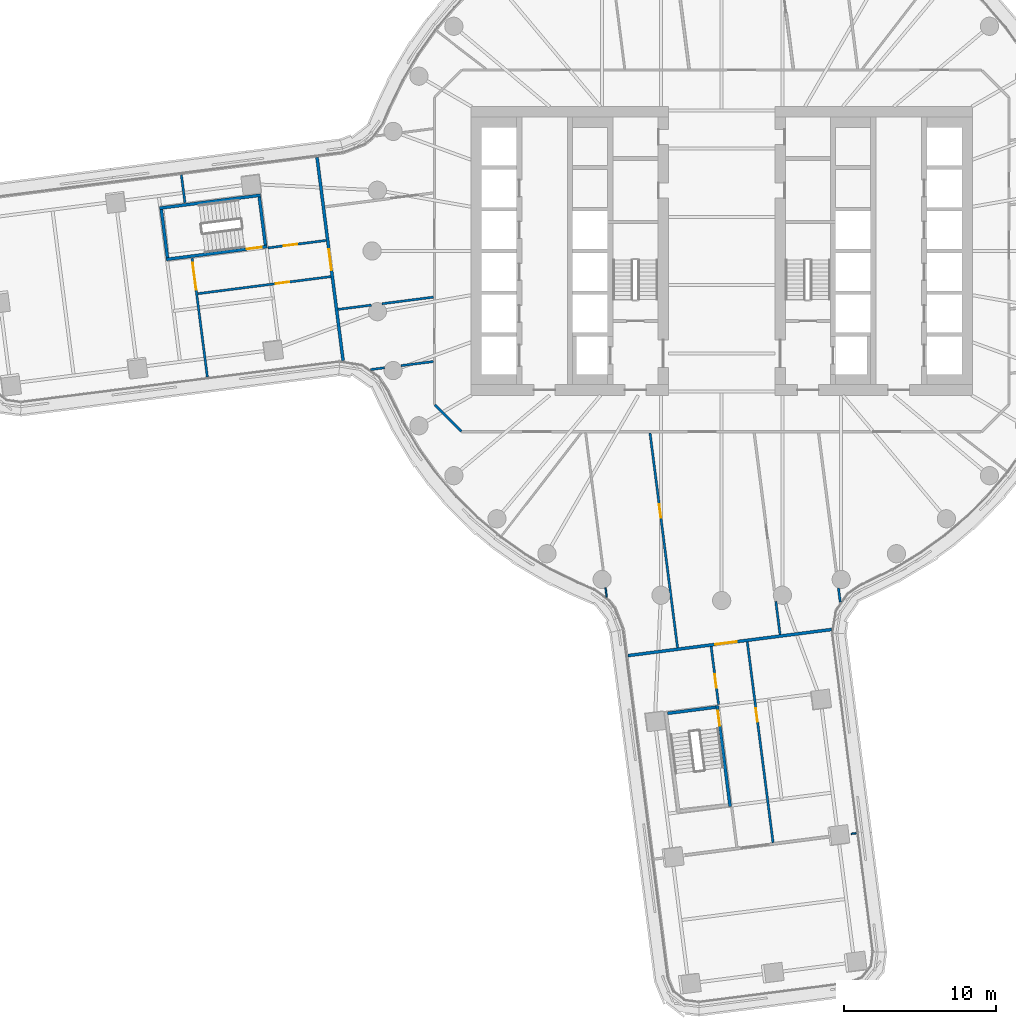
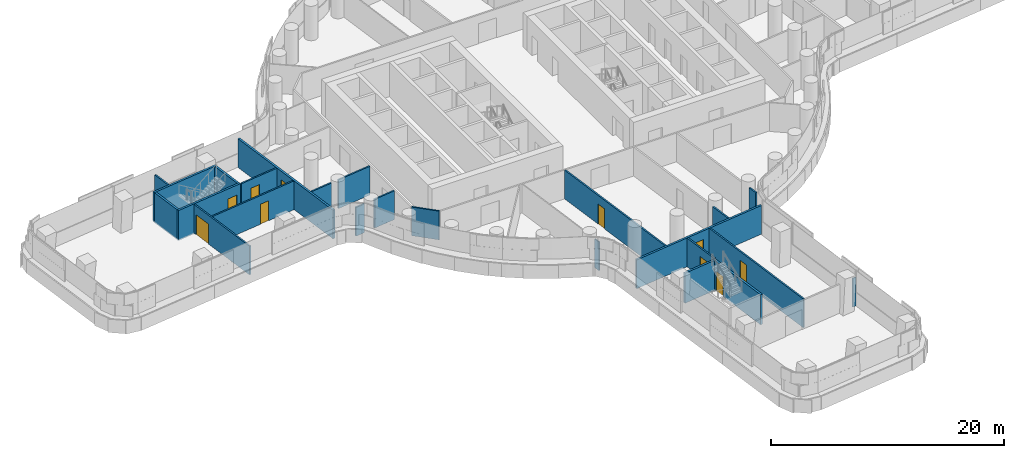
# One storey, part 19 of 31: 24 walls, 10 doors, 10 openings.
"""IFC4 building model written with IfcOpenShell, lengths in metres."""

import ifcopenshell
import ifcopenshell.guid

model = None  # the IFC model being written
_history = None  # IfcOwnerHistory: only IFC2X3 demands one
_inside = {}  # id of a spatial element -> (the spatial element, [elements in it])
_under = {}  # id of a project, library or spatial element -> (it, [spatial elements below it])
_declared = {}  # id of a project -> (the project, [libraries it declares])
_typed = {}  # id of a type object -> (the type object, [elements of that type])
_made_of = {}  # id of a material, layer set ... -> (it, [elements and type objects made of it])


def new_model(schema):
    """Start an empty IFC model of exactly this schema.

    Asked for "IFC4X3", IfcOpenShell would pick the latest addendum, in which some entities
    have other attributes; the version numbers below select the first issue.
    IFC2X3 requires an IfcOwnerHistory on every rooted entity: one is made here for all.
    """
    global model, _history
    if schema == "IFC4X3":
        model = ifcopenshell.file(schema_version=(4, 3, 0, 0))
    else:
        model = ifcopenshell.file(schema=schema)
    _inside.clear()
    _under.clear()
    _declared.clear()
    _typed.clear()
    _made_of.clear()
    _history = None
    if model.schema == "IFC2X3":
        org = make("IfcOrganization", Name="unknown")
        user = make(
            "IfcPersonAndOrganization",
            ThePerson=make("IfcPerson", FamilyName="unknown"),
            TheOrganization=org,
        )
        app = make(
            "IfcApplication",
            ApplicationDeveloper=org,
            Version="unknown",
            ApplicationFullName="unknown",
            ApplicationIdentifier="unknown",
        )
        _history = make(
            "IfcOwnerHistory",
            OwningUser=user,
            OwningApplication=app,
            ChangeAction="ADDED",
            CreationDate=0,
        )
    return model


def make(cls, **values):
    """One entity of the class cls with the attributes given. An attribute that is None is left unset."""
    return model.create_entity(
        cls, **{name: value for name, value in values.items() if value is not None}
    )


def rooted(cls, **values):
    """An entity with a GlobalId (a new one), such as an element, a storey or a relation."""
    return make(cls, GlobalId=ifcopenshell.guid.new(), OwnerHistory=_history, **values)


def si_unit(unit_type, name, prefix=None):
    """IfcSIUnit, for example si_unit("LENGTHUNIT", "METRE", prefix="MILLI")."""
    return make("IfcSIUnit", UnitType=unit_type, Prefix=prefix, Name=name)


def assignment(units):
    """IfcUnitAssignment: the units of a project."""
    return None if units is None else make("IfcUnitAssignment", Units=units)


def point(xyz):
    """IfcCartesianPoint."""
    return None if xyz is None else make("IfcCartesianPoint", Coordinates=xyz)


def direction(xyz):
    """IfcDirection."""
    return None if xyz is None else make("IfcDirection", DirectionRatios=xyz)


def frame(location, z_axis=None, x_axis=None):
    """IfcAxis2Placement3D, a coordinate frame: its origin and axes. An axis left out is left unset."""
    return make(
        "IfcAxis2Placement3D",
        Location=point(location),
        Axis=direction(z_axis),
        RefDirection=direction(x_axis),
    )


def frame_2d(location, x_axis=None):
    """IfcAxis2Placement2D, a coordinate frame in the plane: its origin and x axis."""
    return make(
        "IfcAxis2Placement2D", Location=point(location), RefDirection=direction(x_axis)
    )


def origin():
    """The frame at (0, 0, 0) with its axes left unset."""
    return frame((0.0, 0.0, 0.0))


def place(relative_to, where):
    """IfcLocalPlacement: puts the frame where relative to a parent placement (None: the world)."""
    return make(
        "IfcLocalPlacement", PlacementRelTo=relative_to, RelativePlacement=where
    )


def context(
    kind, dimensions, precision=None, world=None, true_north=None, identifier=None
):
    """IfcGeometricRepresentationContext, for example the 3D "Model" context."""
    return make(
        "IfcGeometricRepresentationContext",
        ContextIdentifier=identifier,
        ContextType=kind,
        CoordinateSpaceDimension=dimensions,
        Precision=precision,
        WorldCoordinateSystem=world,
        TrueNorth=true_north,
    )


def subcontext(parent, identifier, kind, view, scale=None):
    """IfcGeometricRepresentationSubContext, for example "Body" below "Model"."""
    return make(
        "IfcGeometricRepresentationSubContext",
        ContextIdentifier=identifier,
        ContextType=kind,
        ParentContext=parent,
        TargetScale=scale,
        TargetView=view,
    )


def project(units=None, contexts=None):
    """IfcProject with its units and contexts."""
    return rooted(
        "IfcProject",
        Name="project",
        RepresentationContexts=contexts,
        UnitsInContext=assignment(units),
    )


def spatial(cls, under=None, at=None, **own):
    """A site, building, storey or space (cls), placed at a placement, below another one or the project."""
    s = rooted(cls, ObjectPlacement=at, **own)
    if under is not None:
        _under.setdefault(under.id(), (under, []))[1].append(s)
    return s


def polyline(points):
    """IfcPolyline through the points."""
    return make("IfcPolyline", Points=[point(p) for p in points])


def profile(cls, at=None, kind="AREA", **sizes):
    """A parametric profile (cls). Its sizes go by their IFC names, for example OverallWidth=200.0."""
    return make(cls, ProfileType=kind, Position=at, **sizes)


def rectangle(**sizes):
    """IfcRectangleProfileDef."""
    return profile("IfcRectangleProfileDef", **sizes)


def outline(outer, holes=None, kind="AREA"):
    """IfcArbitraryClosedProfileDef: a profile drawn as a closed curve; with holes, ...WithVoids."""
    if holes is None:
        return make("IfcArbitraryClosedProfileDef", ProfileType=kind, OuterCurve=outer)
    return make(
        "IfcArbitraryProfileDefWithVoids",
        ProfileType=kind,
        OuterCurve=outer,
        InnerCurves=holes,
    )


def extrude(swept, where, along, depth):
    """IfcExtrudedAreaSolid: the profile swept, set in the frame where, extruded along a direction by depth."""
    return make(
        "IfcExtrudedAreaSolid",
        SweptArea=swept,
        Position=where,
        ExtrudedDirection=direction(along),
        Depth=depth,
    )


def shape(context_of_items, identifier, shape_type, items):
    """IfcShapeRepresentation: the items that make up one representation, for example the "Body"."""
    return make(
        "IfcShapeRepresentation",
        ContextOfItems=context_of_items,
        RepresentationIdentifier=identifier,
        RepresentationType=shape_type,
        Items=items,
    )


def material(Name=None, Category=None):
    """IfcMaterial."""
    return make("IfcMaterial", Name=Name, Category=Category)


def layer(
    of_material, thickness, ventilated=None, Name=None, Category=None, Priority=None
):
    """IfcMaterialLayer: one layer of a wall or slab, of a material (None: an air gap)."""
    return make(
        "IfcMaterialLayer",
        Material=of_material,
        LayerThickness=thickness,
        IsVentilated=ventilated,
        Name=Name,
        Category=Category,
        Priority=Priority,
    )


def layer_set(layers, Name=None):
    """IfcMaterialLayerSet."""
    return make("IfcMaterialLayerSet", MaterialLayers=layers, LayerSetName=Name)


def made_of(thing, what):
    """Note that an element or type object is made of a material, layer set ...; save() writes the relation."""
    if what is not None:
        _made_of.setdefault(what.id(), (what, []))[1].append(thing)
    return thing


def type_object(cls, material=None, **own):
    """A type object (cls), such as IfcWallType, which elements share."""
    return made_of(rooted(cls, **own), material)


def element(
    cls,
    number,
    at=None,
    inside=None,
    cuts=None,
    type_object=None,
    material=None,
    context=None,
    identifier="Body",
    shape_type=None,
    held_by="IfcProductDefinitionShape",
    body=None,
    shapes=None,
    **own,
):
    """One element of the class cls, such as IfcWall. Its Tag is "e" and its number.

    at: its placement. inside: the storey or other place that contains it. cuts: it is an
    opening in that element (IfcRelVoidsElement). A single representation is given by context,
    identifier, shape_type and body (its items); several are given by shapes. held_by: the class
    of the entity that holds the representations. save() writes the other relations.
    """
    e = rooted(cls, Tag="e%d" % number, ObjectPlacement=at, **own)
    if body is not None:
        shapes = [shape(context, identifier, shape_type, body)]
    if shapes is not None:
        e.Representation = make(held_by, Representations=shapes)
    if inside is not None:
        _inside.setdefault(inside.id(), (inside, []))[1].append(e)
    if cuts is not None:
        rooted(
            "IfcRelVoidsElement", RelatingBuildingElement=cuts, RelatedOpeningElement=e
        )
    if type_object is not None:
        _typed.setdefault(type_object.id(), (type_object, []))[1].append(e)
    return made_of(e, material)


def fill(opening, filler):
    """IfcRelFillsElement: the door or window that sits in an opening."""
    return rooted(
        "IfcRelFillsElement",
        RelatingOpeningElement=opening,
        RelatedBuildingElement=filler,
    )


def aggregate(whole, parts):
    """IfcRelAggregates: a whole, such as a stair, and the parts it consists of."""
    return rooted("IfcRelAggregates", RelatingObject=whole, RelatedObjects=parts)


def save(model, path):
    """Write the relations noted so far, then the file.

    IfcRelAggregates (storeys below a building ...), IfcRelContainedInSpatialStructure (elements
    in a storey), IfcRelDefinesByType, IfcRelAssociatesMaterial and IfcRelDeclares: one each for
    every whole, place, type object, material and project.
    """
    for whole, parts in _under.values():
        aggregate(whole, parts)
    for where, things in _inside.values():
        rooted(
            "IfcRelContainedInSpatialStructure",
            RelatedElements=things,
            RelatingStructure=where,
        )
    for kind, things in _typed.values():
        rooted("IfcRelDefinesByType", RelatedObjects=things, RelatingType=kind)
    for what, things in _made_of.values():
        rooted("IfcRelAssociatesMaterial", RelatedObjects=things, RelatingMaterial=what)
    for by, libraries in _declared.values():
        rooted("IfcRelDeclares", RelatingContext=by, RelatedDefinitions=libraries)
    model.write(path)


model = new_model("IFC4")

# Units and contexts
model_context = context("Model", 3, precision=1e-05, world=origin(), true_north=direction((0.0, 1.0)))
body_context = subcontext(model_context, "Body", "Model", "MODEL_VIEW")
ifc_project = project(units=[si_unit("LENGTHUNIT", "METRE"), si_unit("AREAUNIT", "SQUARE_METRE"), si_unit("VOLUMEUNIT", "CUBIC_METRE"), si_unit("PLANEANGLEUNIT", "RADIAN"), si_unit("MASSUNIT", "GRAM", prefix="KILO")], contexts=[model_context])

# Site, building, storey
site_placement = place(None, origin())
site = spatial("IfcSite", under=ifc_project, at=site_placement, CompositionType="ELEMENT")
building_placement = place(site_placement, origin())
building = spatial("IfcBuilding", under=site, at=building_placement, Name="Tamarind Cross Interchange Tower", CompositionType="ELEMENT")
storey_placement = place(building_placement, frame((0.0, 0.0, 60.25)))
storey = spatial("IfcBuildingStorey", under=building, at=storey_placement, Name="L13", CompositionType="ELEMENT", Elevation=60.25)

# Walls
ifc_material_1 = material(Name="Gypsum board partition on steel studs", Category="steel")
ifc_layer_1 = layer(ifc_material_1, 0.10009765625)
ifc_layer_set_1 = layer_set([ifc_layer_1], Name="Gypsum board partition on steel studs")
wall_type_1 = type_object("IfcWallType", Name="Partition 100 mm EI 90", PredefinedType="PARTITIONING", material=ifc_layer_set_1)
wall_1_placement = place(storey_placement, frame((-7.641845703125, -22.16259765625, 0.0), z_axis=(0.0, 0.0, 1.0), x_axis=(0.127293958292, -0.991865035266, 0.0)))
element("IfcWall", 1, at=wall_1_placement, inside=storey, type_object=wall_type_1, Name="Partition L13-007", PredefinedType="PARTITIONING", context=body_context, shape_type="SweptSolid", body=[
    extrude(rectangle(XDim=0.61767578125, YDim=0.10009765625, at=frame_2d((0.308837890625, 0.0))), origin(), (0.0, 0.0, 1.0), 3.010009765625),
])
wall_2_placement = place(storey_placement, frame((8.526123046875, -38.347412109375, 0.0), z_axis=(0.0, 0.0, 1.0), x_axis=(0.991888791838, 0.127108711843, 0.0)))
element("IfcWall", 2, at=wall_2_placement, inside=storey, type_object=wall_type_1, Name="Partition L13-056", PredefinedType="PARTITIONING", context=body_context, shape_type="SweptSolid", body=[
    extrude(rectangle(XDim=0.332275390625, YDim=0.10009765625, at=frame_2d((0.166015625, 0.0))), origin(), (0.0, 0.0, 1.0), 3.010009765625),
])
ifc_layer_2 = layer(ifc_material_1, 0.14990234375)
ifc_layer_set_2 = layer_set([ifc_layer_2], Name="Gypsum board partition on steel studs")
wall_type_2 = type_object("IfcWallType", Name="Partition 150 mm EI 120", PredefinedType="PARTITIONING", material=ifc_layer_set_2)
wall_3_placement = place(storey_placement, frame((-35.548828125, 5.014892578125, 0.0), z_axis=(0.0, 0.0, 1.0), x_axis=(0.127542047763, -0.991833164425, 0.0)))
element("IfcWall", 3, at=wall_3_placement, inside=storey, type_object=wall_type_2, Name="Partition L13-001", PredefinedType="PARTITIONING", context=body_context, shape_type="SweptSolid", body=[
    extrude(rectangle(XDim=1.858642578125, YDim=0.14990234375, at=frame_2d((0.92919921875, 0.0))), origin(), (0.0, 0.0, 1.0), 3.010009765625),
])

# Wall, opening, door
wall_4_placement = place(storey_placement, frame((-34.842041015625, -0.47900390625, 0.0), z_axis=(0.0, 0.0, 1.0), x_axis=(0.127606286596, -0.991824901694, 0.0)))
wall_4 = element("IfcWall", 4, at=wall_4_placement, inside=storey, type_object=wall_type_2, Name="Partition L13-002", PredefinedType="PARTITIONING", context=body_context, shape_type="SweptSolid", body=[
    extrude(rectangle(XDim=7.873046875, YDim=0.14990234375, at=frame_2d((3.9365234375, 0.0))), origin(), (0.0, 0.0, 1.0), 3.010009765625),
])
opening_1_placement = place(wall_4_placement, frame((0.300048828125, 0.0, 0.0)))
opening_1 = element("IfcOpeningElement", 5, at=opening_1_placement, cuts=wall_4, Name="Opening D01", PredefinedType="OPENING", context=body_context, shape_type="SweptSolid", body=[
    extrude(rectangle(XDim=1.800048828125, YDim=2.10009765625, at=frame_2d((0.89990234375, 1.050048828125))), frame((0.0, 0.0849609375, 0.0), z_axis=(0.0, -1.0, 0.0), x_axis=(1.0, 0.0, 0.0)), (0.0, 0.0, 1.0), 0.169921875),
])
ifc_material_2 = material(Name="Fire-resisting door set")
door_type_1 = type_object("IfcDoorType", Name="Interior door 1800 x 2100 FD60S", OperationType="DOUBLE_DOOR_SINGLE_SWING", PredefinedType="DOOR", material=ifc_material_2)
door_1_placement = place(opening_1_placement, frame((1.800048828125, 0.0, 0.0), z_axis=(0.0, 0.0, 1.0), x_axis=(-1.0, 0.0, 0.0)))
door_1 = element("IfcDoor", 6, at=door_1_placement, inside=storey, type_object=door_type_1, Name="Door D01", OperationType="DOUBLE_DOOR_SINGLE_SWING", OverallHeight=2.10009765625, OverallWidth=1.800048828125, PredefinedType="DOOR", context=body_context, shape_type="SweptSolid", body=[
    extrude(rectangle(XDim=1.800048828125, YDim=2.10009765625, at=frame_2d((0.89990234375, 1.050048828125))), frame((0.0, 0.02490234375, 0.0), z_axis=(0.0, -1.0, 0.0), x_axis=(1.0, 0.0, 0.0)), (0.0, 0.0, 1.0), 0.050048828125),
])
fill(opening_1, door_1)

wall_5_placement = place(storey_placement, frame((-4.715087890625, -11.969482421875, 0.0), z_axis=(0.0, 0.0, 1.0), x_axis=(0.127268912686, -0.991868249247, 0.0)))
wall_5 = element("IfcWall", 7, at=wall_5_placement, inside=storey, type_object=wall_type_2, Name="Partition L13-009", PredefinedType="PARTITIONING", context=body_context, shape_type="SweptSolid", body=[
    extrude(rectangle(XDim=14.249267578125, YDim=0.14990234375, at=frame_2d((7.12451171875, 0.0))), origin(), (0.0, 0.0, 1.0), 3.010009765625),
])
opening_2_placement = place(wall_5_placement, frame((4.72998046875, 0.0, 0.0)))
opening_2 = element("IfcOpeningElement", 8, at=opening_2_placement, cuts=wall_5, Name="Opening D03", PredefinedType="OPENING", context=body_context, shape_type="SweptSolid", body=[
    extrude(rectangle(XDim=0.89990234375, YDim=2.10009765625, at=frame_2d((0.449951171875, 1.050048828125))), frame((0.0, 0.0849609375, 0.0), z_axis=(0.0, -1.0, 0.0), x_axis=(1.0, 0.0, 0.0)), (0.0, 0.0, 1.0), 0.169921875),
])
door_type_2 = type_object("IfcDoorType", Name="Interior door 900 x 2100 FD60S", OperationType="SINGLE_SWING_LEFT", PredefinedType="DOOR", material=ifc_material_2)
door_2_placement = place(opening_2_placement, frame((0.89990234375, 0.0, 0.0), z_axis=(0.0, 0.0, 1.0), x_axis=(-1.0, 0.0, 0.0)))
door_2 = element("IfcDoor", 9, at=door_2_placement, inside=storey, type_object=door_type_2, Name="Door D03", OperationType="SINGLE_SWING_LEFT", OverallHeight=2.10009765625, OverallWidth=0.89990234375, PredefinedType="DOOR", context=body_context, shape_type="SweptSolid", body=[
    extrude(rectangle(XDim=0.89990234375, YDim=2.10009765625, at=frame_2d((0.449951171875, 1.050048828125))), frame((0.0, 0.02490234375, 0.0), z_axis=(0.0, -1.0, 0.0), x_axis=(1.0, 0.0, 0.0)), (0.0, 0.0, 1.0), 0.050048828125),
])
fill(opening_2, door_2)

wall_6_placement = place(storey_placement, frame((-0.693359375, -26.021240234375, 0.0), z_axis=(0.0, 0.0, 1.0), x_axis=(0.127327068492, -0.991860785408, 0.0)))
wall_6 = element("IfcWall", 10, at=wall_6_placement, inside=storey, type_object=wall_type_2, Name="Partition L13-015", PredefinedType="PARTITIONING", context=body_context, shape_type="SweptSolid", body=[
    extrude(rectangle(XDim=3.85986328125, YDim=0.14990234375, at=frame_2d((1.929931640625, 0.0))), origin(), (0.0, 0.0, 1.0), 3.010009765625),
])
opening_3_placement = place(wall_6_placement, frame((1.85009765625, 0.0, 0.0)))
opening_3 = element("IfcOpeningElement", 11, at=opening_3_placement, cuts=wall_6, Name="Opening D12", PredefinedType="OPENING", context=body_context, shape_type="SweptSolid", body=[
    extrude(rectangle(XDim=0.89990234375, YDim=2.10009765625, at=frame_2d((0.449951171875, 1.050048828125))), frame((0.0, 0.0849609375, 0.0), z_axis=(0.0, -1.0, 0.0), x_axis=(1.0, 0.0, 0.0)), (0.0, 0.0, 1.0), 0.169921875),
])
door_3_placement = place(opening_3_placement, frame((0.89990234375, 0.0, 0.0), z_axis=(0.0, 0.0, 1.0), x_axis=(-1.0, 0.0, 0.0)))
door_3 = element("IfcDoor", 12, at=door_3_placement, inside=storey, type_object=door_type_2, Name="Door D12", OperationType="SINGLE_SWING_RIGHT", OverallHeight=2.10009765625, OverallWidth=0.89990234375, PredefinedType="DOOR", context=body_context, shape_type="SweptSolid", body=[
    extrude(rectangle(XDim=0.89990234375, YDim=2.10009765625, at=frame_2d((0.449951171875, 1.050048828125))), frame((0.0, 0.02490234375, 0.0), z_axis=(0.0, -1.0, 0.0), x_axis=(1.0, 0.0, 0.0)), (0.0, 0.0, 1.0), 0.050048828125),
])
fill(opening_3, door_3)

wall_7_placement = place(storey_placement, frame((1.686767578125, -25.715087890625, 0.0), z_axis=(0.0, 0.0, 1.0), x_axis=(0.127319612974, -0.991861742458, 0.0)))
wall_7 = element("IfcWall", 13, at=wall_7_placement, inside=storey, type_object=wall_type_2, Name="Partition L13-017", PredefinedType="PARTITIONING", context=body_context, shape_type="SweptSolid", body=[
    extrude(rectangle(XDim=13.324951171875, YDim=0.14990234375, at=frame_2d((6.66259765625, 0.0))), origin(), (0.0, 0.0, 1.0), 3.010009765625),
])
opening_4_placement = place(wall_7_placement, frame((4.39990234375, 0.0, 0.0)))
opening_4 = element("IfcOpeningElement", 14, at=opening_4_placement, cuts=wall_7, Name="Opening D13", PredefinedType="OPENING", context=body_context, shape_type="SweptSolid", body=[
    extrude(rectangle(XDim=0.89990234375, YDim=2.10009765625, at=frame_2d((0.449951171875, 1.050048828125))), frame((0.0, 0.0849609375, 0.0), z_axis=(0.0, -1.0, 0.0), x_axis=(1.0, 0.0, 0.0)), (0.0, 0.0, 1.0), 0.169921875),
])
door_4_placement = place(opening_4_placement, origin())
door_4 = element("IfcDoor", 15, at=door_4_placement, inside=storey, type_object=door_type_2, Name="Door D13", OperationType="SINGLE_SWING_RIGHT", OverallHeight=2.10009765625, OverallWidth=0.89990234375, PredefinedType="DOOR", context=body_context, shape_type="SweptSolid", body=[
    extrude(rectangle(XDim=0.89990234375, YDim=2.10009765625, at=frame_2d((0.449951171875, 1.050048828125))), frame((0.0, 0.02490234375, 0.0), z_axis=(0.0, -1.0, 0.0), x_axis=(1.0, 0.0, 0.0)), (0.0, 0.0, 1.0), 0.050048828125),
])
fill(opening_4, door_4)

# Walls
wall_8_placement = place(storey_placement, frame((3.56298828125, -23.052978515625, 0.0), z_axis=(0.0, 0.0, 1.0), x_axis=(0.127295784398, -0.991864800905, 0.0)))
element("IfcWall", 16, at=wall_8_placement, inside=storey, type_object=wall_type_2, Name="Partition L13-019", PredefinedType="PARTITIONING", context=body_context, shape_type="SweptSolid", body=[
    extrude(rectangle(XDim=2.20166015625, YDim=0.14990234375, at=frame_2d((1.100830078125, 0.0))), origin(), (0.0, 0.0, 1.0), 3.010009765625),
])
wall_9_placement = place(storey_placement, frame((7.684326171875, -22.174072265625, 0.0), z_axis=(0.0, 0.0, 1.0), x_axis=(0.127295384389, -0.991864852242, 0.0)))
element("IfcWall", 17, at=wall_9_placement, inside=storey, type_object=wall_type_2, Name="Partition L13-023", PredefinedType="PARTITIONING", context=body_context, shape_type="SweptSolid", body=[
    extrude(rectangle(XDim=0.939697265625, YDim=0.14990234375, at=frame_2d((0.4697265625, 0.0))), origin(), (0.0, 0.0, 1.0), 3.010009765625),
])
wall_10_placement = place(storey_placement, frame((-18.87158203125, -10.12841796875, 0.0), z_axis=(0.0, 0.0, 1.0), x_axis=(0.707106781187, -0.707106781187, 0.0)))
element("IfcWall", 18, at=wall_10_placement, inside=storey, type_object=wall_type_2, Name="Partition L13-029", PredefinedType="PARTITIONING", context=body_context, shape_type="SweptSolid", body=[
    extrude(rectangle(XDim=2.465087890625, YDim=0.14990234375, at=frame_2d((1.232421875, 0.0))), origin(), (0.0, 0.0, 1.0), 3.010009765625),
])

# Wall, opening, door
wall_11_placement = place(storey_placement, frame((-34.463623046875, -2.809814453125, 0.0), z_axis=(0.0, 0.0, 1.0), x_axis=(0.991861062274, 0.127324911717, 0.0)))
wall_11 = element("IfcWall", 19, at=wall_11_placement, inside=storey, type_object=wall_type_2, Name="Partition L13-035", PredefinedType="PARTITIONING", context=body_context, shape_type="SweptSolid", body=[
    extrude(rectangle(XDim=8.8203125, YDim=0.14990234375, at=frame_2d((4.41015625, 0.0))), origin(), (0.0, 0.0, 1.0), 3.010009765625),
])
opening_5_placement = place(wall_11_placement, frame((5.169921875, 0.0, 0.0)))
opening_5 = element("IfcOpeningElement", 20, at=opening_5_placement, cuts=wall_11, Name="Opening D24", PredefinedType="OPENING", context=body_context, shape_type="SweptSolid", body=[
    extrude(rectangle(XDim=0.89990234375, YDim=2.10009765625, at=frame_2d((0.449951171875, 1.050048828125))), frame((0.0, 0.0849609375, 0.0), z_axis=(0.0, -1.0, 0.0), x_axis=(1.0, 0.0, 0.0)), (0.0, 0.0, 1.0), 0.169921875),
])
door_5_placement = place(opening_5_placement, frame((0.89990234375, 0.0, 0.0), z_axis=(0.0, 0.0, 1.0), x_axis=(-1.0, 0.0, 0.0)))
door_5 = element("IfcDoor", 21, at=door_5_placement, inside=storey, type_object=door_type_2, Name="Door D24", OperationType="SINGLE_SWING_RIGHT", OverallHeight=2.10009765625, OverallWidth=0.89990234375, PredefinedType="DOOR", context=body_context, shape_type="SweptSolid", body=[
    extrude(rectangle(XDim=0.89990234375, YDim=2.10009765625, at=frame_2d((0.449951171875, 1.050048828125))), frame((0.0, 0.02490234375, 0.0), z_axis=(0.0, -1.0, 0.0), x_axis=(1.0, 0.0, 0.0)), (0.0, 0.0, 1.0), 0.050048828125),
])
fill(opening_5, door_5)

wall_12_placement = place(storey_placement, frame((-29.849609375, 0.2021484375, 0.0), z_axis=(0.0, 0.0, 1.0), x_axis=(0.991868771711, 0.127264840806, 0.0)))
wall_12 = element("IfcWall", 22, at=wall_12_placement, inside=storey, type_object=wall_type_2, Name="Partition L13-036", PredefinedType="PARTITIONING", context=body_context, shape_type="SweptSolid", body=[
    extrude(rectangle(XDim=3.85986328125, YDim=0.14990234375, at=frame_2d((1.929931640625, 0.0))), origin(), (0.0, 0.0, 1.0), 3.010009765625),
])
opening_6_placement = place(wall_12_placement, frame((1.050048828125, 0.0, 0.0)))
opening_6 = element("IfcOpeningElement", 23, at=opening_6_placement, cuts=wall_12, Name="Opening D25", PredefinedType="OPENING", context=body_context, shape_type="SweptSolid", body=[
    extrude(rectangle(XDim=0.89990234375, YDim=2.10009765625, at=frame_2d((0.449951171875, 1.050048828125))), frame((0.0, 0.0849609375, 0.0), z_axis=(0.0, -1.0, 0.0), x_axis=(1.0, 0.0, 0.0)), (0.0, 0.0, 1.0), 0.169921875),
])
door_6_placement = place(opening_6_placement, origin())
door_6 = element("IfcDoor", 24, at=door_6_placement, inside=storey, type_object=door_type_2, Name="Door D25", OperationType="SINGLE_SWING_RIGHT", OverallHeight=2.10009765625, OverallWidth=0.89990234375, PredefinedType="DOOR", context=body_context, shape_type="SweptSolid", body=[
    extrude(rectangle(XDim=0.89990234375, YDim=2.10009765625, at=frame_2d((0.449951171875, 1.050048828125))), frame((0.0, 0.02490234375, 0.0), z_axis=(0.0, -1.0, 0.0), x_axis=(1.0, 0.0, 0.0)), (0.0, 0.0, 1.0), 0.050048828125),
])
fill(opening_6, door_6)

# Walls
wall_13_placement = place(storey_placement, frame((-25.23681640625, -3.84326171875, 0.0), z_axis=(0.0, 0.0, 1.0), x_axis=(0.991864800905, 0.127295784398, 0.0)))
element("IfcWall", 25, at=wall_13_placement, inside=storey, type_object=wall_type_2, Name="Partition L13-038", PredefinedType="PARTITIONING", context=body_context, shape_type="SweptSolid", body=[
    extrude(rectangle(XDim=2.20166015625, YDim=0.14990234375, at=frame_2d((1.100830078125, 0.0))), origin(), (0.0, 0.0, 1.0), 3.010009765625),
])
wall_14_placement = place(storey_placement, frame((-22.33984375, -3.471435546875, 0.0), z_axis=(0.0, 0.0, 1.0), x_axis=(0.99186236677, 0.127314749288, 0.0)))
element("IfcWall", 26, at=wall_14_placement, inside=storey, type_object=wall_type_2, Name="Partition L13-039", PredefinedType="PARTITIONING", context=body_context, shape_type="SweptSolid", body=[
    extrude(rectangle(XDim=3.39794921875, YDim=0.14990234375, at=frame_2d((1.698974609375, 0.0))), origin(), (0.0, 0.0, 1.0), 3.010009765625),
])
wall_15_placement = place(storey_placement, frame((-23.106201171875, -7.803955078125, 0.0), z_axis=(0.0, 0.0, 1.0), x_axis=(0.991864852242, 0.127295384389, 0.0)))
element("IfcWall", 27, at=wall_15_placement, inside=storey, type_object=wall_type_2, Name="Partition L13-040", PredefinedType="PARTITIONING", context=body_context, shape_type="SweptSolid", body=[
    extrude(rectangle(XDim=0.939697265625, YDim=0.14990234375, at=frame_2d((0.4697265625, 0.0))), origin(), (0.0, 0.0, 1.0), 3.010009765625),
])
wall_16_placement = place(storey_placement, frame((-21.099853515625, -7.54638671875, 0.0), z_axis=(0.0, 0.0, 1.0), x_axis=(0.991863273409, 0.127307685792, 0.0)))
element("IfcWall", 28, at=wall_16_placement, inside=storey, type_object=wall_type_2, Name="Partition L13-041", PredefinedType="PARTITIONING", context=body_context, shape_type="SweptSolid", body=[
    extrude(rectangle(XDim=2.14794921875, YDim=0.14990234375, at=frame_2d((1.073974609375, 0.0))), origin(), (0.0, 0.0, 1.0), 3.010009765625),
])

# Wall, opening, door
ifc_layer_3 = layer(ifc_material_1, 0.199951171875)
ifc_layer_set_3 = layer_set([ifc_layer_3], Name="Gypsum board partition on steel studs")
wall_type_3 = type_object("IfcWallType", Name="Partition 200 mm EI 180", PredefinedType="PARTITIONING", material=ifc_layer_set_3)
wall_17_placement = place(storey_placement, frame((-26.621826171875, 6.160888671875, 0.0), z_axis=(0.0, 0.0, 1.0), x_axis=(0.127256518618, -0.99186983948, 0.0)))
wall_17 = element("IfcWall", 29, at=wall_17_placement, inside=storey, type_object=wall_type_3, Name="Partition L13-003", PredefinedType="PARTITIONING", context=body_context, shape_type="SweptSolid", body=[
    extrude(rectangle(XDim=13.49267578125, YDim=0.199951171875, at=frame_2d((6.746337890625, 0.0))), origin(), (0.0, 0.0, 1.0), 3.010009765625),
])
opening_7_placement = place(wall_17_placement, frame((6.099609375, 0.0, 0.0)))
opening_7 = element("IfcOpeningElement", 30, at=opening_7_placement, cuts=wall_17, Name="Opening D02", PredefinedType="OPENING", context=body_context, shape_type="SweptSolid", body=[
    extrude(rectangle(XDim=1.39990234375, YDim=2.10009765625, at=frame_2d((0.699951171875, 1.050048828125))), frame((0.0, 0.10986328125, 0.0), z_axis=(0.0, -1.0, 0.0), x_axis=(1.0, 0.0, 0.0)), (0.0, 0.0, 1.0), 0.219970703125),
])
door_type_3 = type_object("IfcDoorType", Name="Interior door 1400 x 2100 FD120S", OperationType="DOUBLE_DOOR_SINGLE_SWING", PredefinedType="DOOR", material=ifc_material_2)
door_7_placement = place(opening_7_placement, origin())
door_7 = element("IfcDoor", 31, at=door_7_placement, inside=storey, type_object=door_type_3, Name="Door D02", OperationType="DOUBLE_DOOR_SINGLE_SWING", OverallHeight=2.10009765625, OverallWidth=1.39990234375, PredefinedType="DOOR", context=body_context, shape_type="SweptSolid", body=[
    extrude(rectangle(XDim=1.39990234375, YDim=2.10009765625, at=frame_2d((0.699951171875, 1.050048828125))), frame((0.0, 0.02490234375, 0.0), z_axis=(0.0, -1.0, 0.0), x_axis=(1.0, 0.0, 0.0)), (0.0, 0.0, 1.0), 0.050048828125),
])
fill(opening_7, door_7)

wall_18_placement = place(storey_placement, frame((-6.160888671875, -26.621826171875, 0.0), z_axis=(0.0, 0.0, 1.0), x_axis=(0.99186983948, 0.127256518618, 0.0)))
wall_18 = element("IfcWall", 32, at=wall_18_placement, inside=storey, type_object=wall_type_3, Name="Partition L13-053", PredefinedType="PARTITIONING", context=body_context, shape_type="SweptSolid", body=[
    extrude(rectangle(XDim=13.49267578125, YDim=0.199951171875, at=frame_2d((6.746337890625, 0.0))), origin(), (0.0, 0.0, 1.0), 3.010009765625),
])
opening_8_placement = place(wall_18_placement, frame((5.799560546875, 0.0, 0.0)))
opening_8 = element("IfcOpeningElement", 33, at=opening_8_placement, cuts=wall_18, Name="Opening D30", PredefinedType="OPENING", context=body_context, shape_type="SweptSolid", body=[
    extrude(rectangle(XDim=1.39990234375, YDim=2.10009765625, at=frame_2d((0.699951171875, 1.050048828125))), frame((0.0, 0.10986328125, 0.0), z_axis=(0.0, -1.0, 0.0), x_axis=(1.0, 0.0, 0.0)), (0.0, 0.0, 1.0), 0.219970703125),
])
door_8_placement = place(opening_8_placement, origin())
door_8 = element("IfcDoor", 34, at=door_8_placement, inside=storey, type_object=door_type_3, Name="Door D30", OperationType="DOUBLE_DOOR_SINGLE_SWING", OverallHeight=2.10009765625, OverallWidth=1.39990234375, PredefinedType="DOOR", context=body_context, shape_type="SweptSolid", body=[
    extrude(rectangle(XDim=1.39990234375, YDim=2.10009765625, at=frame_2d((0.699951171875, 1.050048828125))), frame((0.0, 0.02490234375, 0.0), z_axis=(0.0, -1.0, 0.0), x_axis=(1.0, 0.0, 0.0)), (0.0, 0.0, 1.0), 0.050048828125),
])
fill(opening_8, door_8)

ifc_material_3 = material(Name="Concrete C40", Category="concrete")
ifc_layer_4 = layer(ifc_material_3, 0.199951171875)
ifc_layer_set_4 = layer_set([ifc_layer_4], Name="Concrete C40")
wall_type_4 = type_object("IfcWallType", Name="Stair shaft wall 200 mm Concrete C40", PredefinedType="SHEAR", material=ifc_layer_set_4)
wall_19_placement = place(storey_placement, frame((-29.902099609375, 0.29638671875, -0.139892578125), z_axis=(0.0, 0.0, 1.0), x_axis=(-0.991866691, -0.12728105627, 0.0)))
wall_19 = element("IfcWall", 35, at=wall_19_placement, inside=storey, type_object=wall_type_4, Name="Core wall CWL-L13-ST5-H", PredefinedType="SHEAR", context=body_context, shape_type="SweptSolid", body=[
    extrude(rectangle(XDim=6.699951171875, YDim=0.199951171875, at=frame_2d((3.35009765625, 0.0))), origin(), (0.0, 0.0, 1.0), 3.14990234375),
])
opening_9_placement = place(wall_19_placement, frame((0.35009765625, 0.0, 0.0)))
opening_9 = element("IfcOpeningElement", 36, at=opening_9_placement, cuts=wall_19, Name="Opening ST5L13", PredefinedType="OPENING", context=body_context, shape_type="SweptSolid", body=[
    extrude(rectangle(XDim=1.0, YDim=2.10009765625, at=frame_2d((0.5, 1.050048828125))), frame((0.0, 0.10986328125, 0.0), z_axis=(0.0, -1.0, 0.0), x_axis=(1.0, 0.0, 0.0)), (0.0, 0.0, 1.0), 0.219970703125),
])
ifc_material_4 = material(Name="Steel, fire-resisting", Category="steel")
door_type_4 = type_object("IfcDoorType", Name="Core fire door 1000 x 2100 FD90", OperationType="SINGLE_SWING_LEFT", PredefinedType="DOOR", material=ifc_material_4)
door_9_placement = place(opening_9_placement, origin())
door_9 = element("IfcDoor", 37, at=door_9_placement, inside=storey, type_object=door_type_4, Name="L13 stair door ST5", OperationType="SINGLE_SWING_LEFT", OverallHeight=2.10009765625, OverallWidth=1.0, PredefinedType="DOOR", context=body_context, shape_type="SweptSolid", body=[
    extrude(rectangle(XDim=1.0, YDim=2.10009765625, at=frame_2d((0.5, 1.050048828125))), frame((0.0, 0.02490234375, 0.0), z_axis=(0.0, -1.0, 0.0), x_axis=(1.0, 0.0, 0.0)), (0.0, 0.0, 1.0), 0.050048828125),
])
fill(opening_9, door_9)

# Walls
wall_20_placement = place(storey_placement, frame((-30.3349609375, 3.668701171875, -0.139892578125), z_axis=(0.0, 0.0, 1.0), x_axis=(-0.991866100641, -0.127285656693, 0.0)))
element("IfcWall", 38, at=wall_20_placement, inside=storey, type_object=wall_type_4, Name="Core wall CWL-L13-ST5-C", PredefinedType="SHEAR", context=body_context, shape_type="SweptSolid", body=[
    extrude(rectangle(XDim=6.69970703125, YDim=0.199951171875, at=frame_2d((3.349853515625, 0.0))), origin(), (0.0, 0.0, 1.0), 3.14990234375),
])
wall_21_placement = place(storey_placement, frame((-30.42138671875, 3.556884765625, -0.139892578125), z_axis=(0.0, 0.0, 1.0), x_axis=(0.12732982541, -0.991860431493, 0.0)))
element("IfcWall", 39, at=wall_21_placement, inside=storey, type_object=wall_type_4, Name="Core wall CWL-L13-ST5-CE", PredefinedType="SHEAR", context=body_context, shape_type="SweptSolid", body=[
    extrude(rectangle(XDim=3.2001953125, YDim=0.199951171875, at=frame_2d((1.60009765625, 0.0))), origin(), (0.0, 0.0, 1.0), 3.14990234375),
])
wall_22_placement = place(storey_placement, frame((0.0, 0.0, -0.139892578125)))
element("IfcWall", 40, at=wall_22_placement, inside=storey, type_object=wall_type_4, Name="Core wall CWL-L13-ST5-CF", PredefinedType="SHEAR", context=body_context, shape_type="SweptSolid", body=[
    extrude(outline(polyline([(-36.769287109375, 2.7421875), (-36.967529296875, 2.716796875), (-36.560302734375, -0.457275390625), (-36.36181640625, -0.431884765625), (-36.769287109375, 2.7421875)])), origin(), (0.0, 0.0, 1.0), 3.14990234375),
])

# Wall, opening, door
wall_23_placement = place(storey_placement, frame((-0.29638671875, -29.902099609375, -0.139892578125), z_axis=(0.0, 0.0, 1.0), x_axis=(0.12728105627, -0.991866691, 0.0)))
wall_23 = element("IfcWall", 41, at=wall_23_placement, inside=storey, type_object=wall_type_4, Name="Core wall CWL-L13-ST6-H", PredefinedType="SHEAR", context=body_context, shape_type="SweptSolid", body=[
    extrude(rectangle(XDim=6.699951171875, YDim=0.199951171875, at=frame_2d((3.35009765625, 0.0))), origin(), (0.0, 0.0, 1.0), 3.14990234375),
])
opening_10_placement = place(wall_23_placement, frame((0.35009765625, 0.0, 0.0)))
opening_10 = element("IfcOpeningElement", 42, at=opening_10_placement, cuts=wall_23, Name="Opening ST6L13", PredefinedType="OPENING", context=body_context, shape_type="SweptSolid", body=[
    extrude(rectangle(XDim=1.0, YDim=2.10009765625, at=frame_2d((0.5, 1.050048828125))), frame((0.0, 0.10986328125, 0.0), z_axis=(0.0, -1.0, 0.0), x_axis=(1.0, 0.0, 0.0)), (0.0, 0.0, 1.0), 0.219970703125),
])
door_10_placement = place(opening_10_placement, origin())
door_10 = element("IfcDoor", 43, at=door_10_placement, inside=storey, type_object=door_type_4, Name="L13 stair door ST6", OperationType="SINGLE_SWING_LEFT", OverallHeight=2.10009765625, OverallWidth=1.0, PredefinedType="DOOR", context=body_context, shape_type="SweptSolid", body=[
    extrude(rectangle(XDim=1.0, YDim=2.10009765625, at=frame_2d((0.5, 1.050048828125))), frame((0.0, 0.02490234375, 0.0), z_axis=(0.0, -1.0, 0.0), x_axis=(1.0, 0.0, 0.0)), (0.0, 0.0, 1.0), 0.050048828125),
])
fill(opening_10, door_10)

# Wall
wall_24_placement = place(storey_placement, frame((-3.556884765625, -30.42138671875, -0.139892578125), z_axis=(0.0, 0.0, 1.0), x_axis=(0.991860431493, 0.12732982541, 0.0)))
element("IfcWall", 44, at=wall_24_placement, inside=storey, type_object=wall_type_4, Name="Core wall CWL-L13-ST6-CE", PredefinedType="SHEAR", context=body_context, shape_type="SweptSolid", body=[
    extrude(rectangle(XDim=3.2001953125, YDim=0.199951171875, at=frame_2d((1.60009765625, 0.0))), origin(), (0.0, 0.0, 1.0), 3.14990234375),
])

save(model, "model.ifc")
